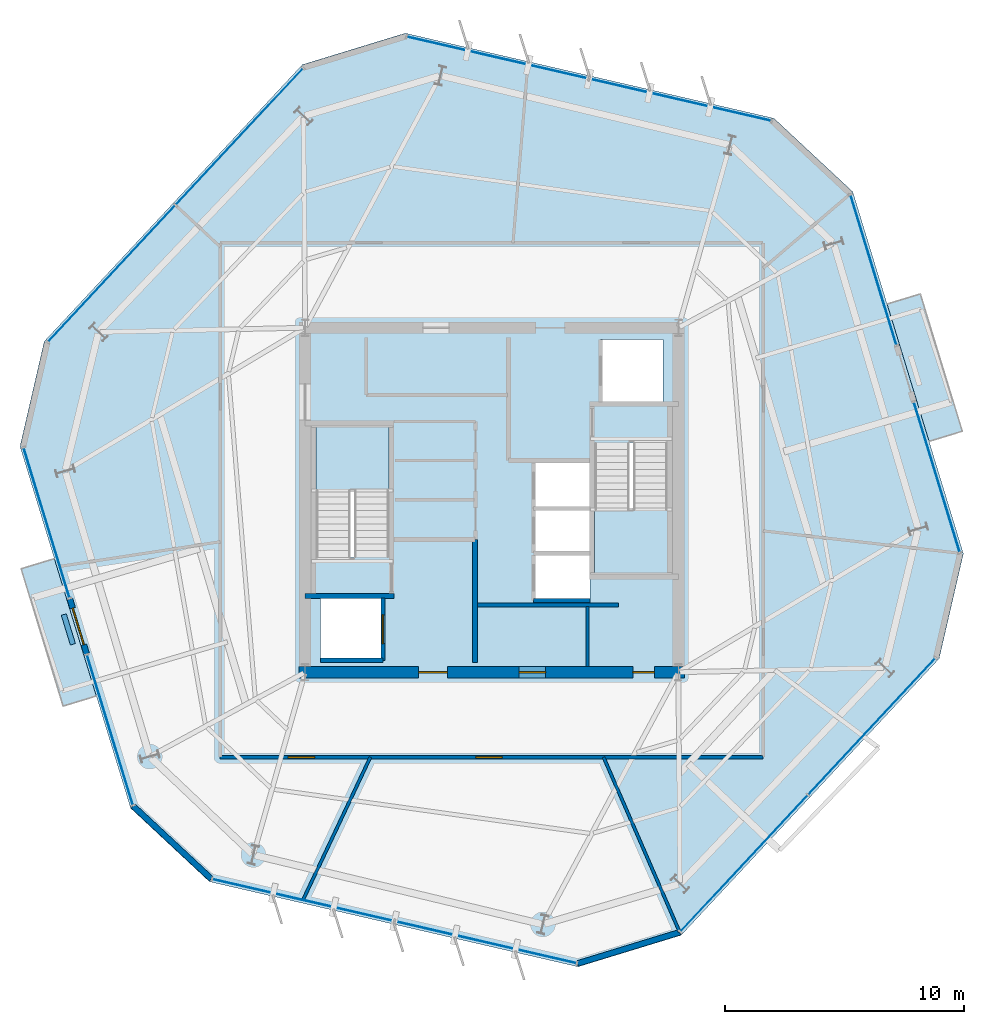
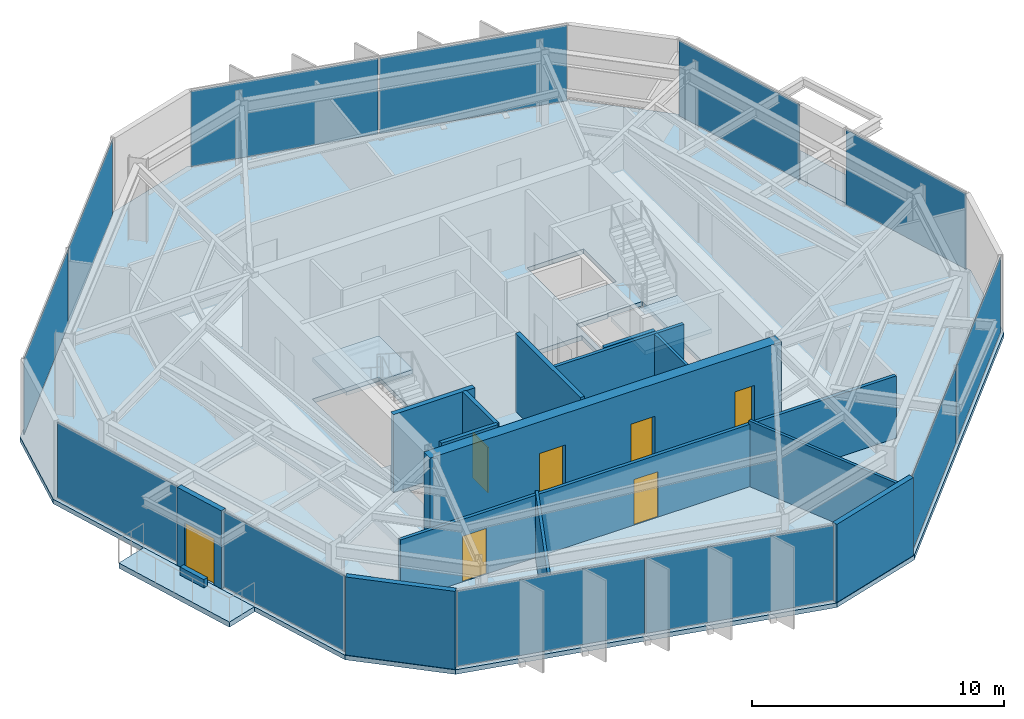
# One storey, part 6 of 11: 15 walls, 12 plates, 7 doors, 5 slabs, 7 openings, 10 elements without a shape of their own.
"""IFC4 building model written with IfcOpenShell, lengths in metres."""

import ifcopenshell
import ifcopenshell.guid

model = None  # the IFC model being written
_history = None  # IfcOwnerHistory: only IFC2X3 demands one
_inside = {}  # id of a spatial element -> (the spatial element, [elements in it])
_under = {}  # id of a project, library or spatial element -> (it, [spatial elements below it])
_declared = {}  # id of a project -> (the project, [libraries it declares])
_typed = {}  # id of a type object -> (the type object, [elements of that type])
_made_of = {}  # id of a material, layer set ... -> (it, [elements and type objects made of it])


def new_model(schema):
    """Start an empty IFC model of exactly this schema.

    Asked for "IFC4X3", IfcOpenShell would pick the latest addendum, in which some entities
    have other attributes; the version numbers below select the first issue.
    IFC2X3 requires an IfcOwnerHistory on every rooted entity: one is made here for all.
    """
    global model, _history
    if schema == "IFC4X3":
        model = ifcopenshell.file(schema_version=(4, 3, 0, 0))
    else:
        model = ifcopenshell.file(schema=schema)
    _inside.clear()
    _under.clear()
    _declared.clear()
    _typed.clear()
    _made_of.clear()
    _history = None
    if model.schema == "IFC2X3":
        org = make("IfcOrganization", Name="unknown")
        user = make(
            "IfcPersonAndOrganization",
            ThePerson=make("IfcPerson", FamilyName="unknown"),
            TheOrganization=org,
        )
        app = make(
            "IfcApplication",
            ApplicationDeveloper=org,
            Version="unknown",
            ApplicationFullName="unknown",
            ApplicationIdentifier="unknown",
        )
        _history = make(
            "IfcOwnerHistory",
            OwningUser=user,
            OwningApplication=app,
            ChangeAction="ADDED",
            CreationDate=0,
        )
    return model


def make(cls, **values):
    """One entity of the class cls with the attributes given. An attribute that is None is left unset."""
    return model.create_entity(
        cls, **{name: value for name, value in values.items() if value is not None}
    )


def rooted(cls, **values):
    """An entity with a GlobalId (a new one), such as an element, a storey or a relation."""
    return make(cls, GlobalId=ifcopenshell.guid.new(), OwnerHistory=_history, **values)


def si_unit(unit_type, name, prefix=None):
    """IfcSIUnit, for example si_unit("LENGTHUNIT", "METRE", prefix="MILLI")."""
    return make("IfcSIUnit", UnitType=unit_type, Prefix=prefix, Name=name)


def assignment(units):
    """IfcUnitAssignment: the units of a project."""
    return None if units is None else make("IfcUnitAssignment", Units=units)


def point(xyz):
    """IfcCartesianPoint."""
    return None if xyz is None else make("IfcCartesianPoint", Coordinates=xyz)


def direction(xyz):
    """IfcDirection."""
    return None if xyz is None else make("IfcDirection", DirectionRatios=xyz)


def frame(location, z_axis=None, x_axis=None):
    """IfcAxis2Placement3D, a coordinate frame: its origin and axes. An axis left out is left unset."""
    return make(
        "IfcAxis2Placement3D",
        Location=point(location),
        Axis=direction(z_axis),
        RefDirection=direction(x_axis),
    )


def frame_2d(location, x_axis=None):
    """IfcAxis2Placement2D, a coordinate frame in the plane: its origin and x axis."""
    return make(
        "IfcAxis2Placement2D", Location=point(location), RefDirection=direction(x_axis)
    )


def origin():
    """The frame at (0, 0, 0) with its axes left unset."""
    return frame((0.0, 0.0, 0.0))


def origin_2d():
    """The frame at (0, 0) in the plane with its x axis left unset."""
    return frame_2d((0.0, 0.0))


def place(relative_to, where):
    """IfcLocalPlacement: puts the frame where relative to a parent placement (None: the world)."""
    return make(
        "IfcLocalPlacement", PlacementRelTo=relative_to, RelativePlacement=where
    )


def context(
    kind, dimensions, precision=None, world=None, true_north=None, identifier=None
):
    """IfcGeometricRepresentationContext, for example the 3D "Model" context."""
    return make(
        "IfcGeometricRepresentationContext",
        ContextIdentifier=identifier,
        ContextType=kind,
        CoordinateSpaceDimension=dimensions,
        Precision=precision,
        WorldCoordinateSystem=world,
        TrueNorth=true_north,
    )


def subcontext(parent, identifier, kind, view, scale=None):
    """IfcGeometricRepresentationSubContext, for example "Body" below "Model"."""
    return make(
        "IfcGeometricRepresentationSubContext",
        ContextIdentifier=identifier,
        ContextType=kind,
        ParentContext=parent,
        TargetScale=scale,
        TargetView=view,
    )


def project(units=None, contexts=None):
    """IfcProject with its units and contexts."""
    return rooted(
        "IfcProject",
        Name="project",
        RepresentationContexts=contexts,
        UnitsInContext=assignment(units),
    )


def spatial(cls, under=None, at=None, **own):
    """A site, building, storey or space (cls), placed at a placement, below another one or the project."""
    s = rooted(cls, ObjectPlacement=at, **own)
    if under is not None:
        _under.setdefault(under.id(), (under, []))[1].append(s)
    return s


def polyline(points):
    """IfcPolyline through the points."""
    return make("IfcPolyline", Points=[point(p) for p in points])


def profile(cls, at=None, kind="AREA", **sizes):
    """A parametric profile (cls). Its sizes go by their IFC names, for example OverallWidth=200.0."""
    return make(cls, ProfileType=kind, Position=at, **sizes)


def rectangle(**sizes):
    """IfcRectangleProfileDef."""
    return profile("IfcRectangleProfileDef", **sizes)


def outline(outer, holes=None, kind="AREA"):
    """IfcArbitraryClosedProfileDef: a profile drawn as a closed curve; with holes, ...WithVoids."""
    if holes is None:
        return make("IfcArbitraryClosedProfileDef", ProfileType=kind, OuterCurve=outer)
    return make(
        "IfcArbitraryProfileDefWithVoids",
        ProfileType=kind,
        OuterCurve=outer,
        InnerCurves=holes,
    )


def extrude(swept, where, along, depth):
    """IfcExtrudedAreaSolid: the profile swept, set in the frame where, extruded along a direction by depth."""
    return make(
        "IfcExtrudedAreaSolid",
        SweptArea=swept,
        Position=where,
        ExtrudedDirection=direction(along),
        Depth=depth,
    )


def shape(context_of_items, identifier, shape_type, items):
    """IfcShapeRepresentation: the items that make up one representation, for example the "Body"."""
    return make(
        "IfcShapeRepresentation",
        ContextOfItems=context_of_items,
        RepresentationIdentifier=identifier,
        RepresentationType=shape_type,
        Items=items,
    )


def material(Name=None, Category=None):
    """IfcMaterial."""
    return make("IfcMaterial", Name=Name, Category=Category)


def layer(
    of_material, thickness, ventilated=None, Name=None, Category=None, Priority=None
):
    """IfcMaterialLayer: one layer of a wall or slab, of a material (None: an air gap)."""
    return make(
        "IfcMaterialLayer",
        Material=of_material,
        LayerThickness=thickness,
        IsVentilated=ventilated,
        Name=Name,
        Category=Category,
        Priority=Priority,
    )


def layer_set(layers, Name=None):
    """IfcMaterialLayerSet."""
    return make("IfcMaterialLayerSet", MaterialLayers=layers, LayerSetName=Name)


def made_of(thing, what):
    """Note that an element or type object is made of a material, layer set ...; save() writes the relation."""
    if what is not None:
        _made_of.setdefault(what.id(), (what, []))[1].append(thing)
    return thing


def type_object(cls, material=None, **own):
    """A type object (cls), such as IfcWallType, which elements share."""
    return made_of(rooted(cls, **own), material)


def element(
    cls,
    number,
    at=None,
    inside=None,
    cuts=None,
    type_object=None,
    material=None,
    context=None,
    identifier="Body",
    shape_type=None,
    held_by="IfcProductDefinitionShape",
    body=None,
    shapes=None,
    **own,
):
    """One element of the class cls, such as IfcWall. Its Tag is "e" and its number.

    at: its placement. inside: the storey or other place that contains it. cuts: it is an
    opening in that element (IfcRelVoidsElement). A single representation is given by context,
    identifier, shape_type and body (its items); several are given by shapes. held_by: the class
    of the entity that holds the representations. save() writes the other relations.
    """
    e = rooted(cls, Tag="e%d" % number, ObjectPlacement=at, **own)
    if body is not None:
        shapes = [shape(context, identifier, shape_type, body)]
    if shapes is not None:
        e.Representation = make(held_by, Representations=shapes)
    if inside is not None:
        _inside.setdefault(inside.id(), (inside, []))[1].append(e)
    if cuts is not None:
        rooted(
            "IfcRelVoidsElement", RelatingBuildingElement=cuts, RelatedOpeningElement=e
        )
    if type_object is not None:
        _typed.setdefault(type_object.id(), (type_object, []))[1].append(e)
    return made_of(e, material)


def fill(opening, filler):
    """IfcRelFillsElement: the door or window that sits in an opening."""
    return rooted(
        "IfcRelFillsElement",
        RelatingOpeningElement=opening,
        RelatedBuildingElement=filler,
    )


def aggregate(whole, parts):
    """IfcRelAggregates: a whole, such as a stair, and the parts it consists of."""
    return rooted("IfcRelAggregates", RelatingObject=whole, RelatedObjects=parts)


def save(model, path):
    """Write the relations noted so far, then the file.

    IfcRelAggregates (storeys below a building ...), IfcRelContainedInSpatialStructure (elements
    in a storey), IfcRelDefinesByType, IfcRelAssociatesMaterial and IfcRelDeclares: one each for
    every whole, place, type object, material and project.
    """
    for whole, parts in _under.values():
        aggregate(whole, parts)
    for where, things in _inside.values():
        rooted(
            "IfcRelContainedInSpatialStructure",
            RelatedElements=things,
            RelatingStructure=where,
        )
    for kind, things in _typed.values():
        rooted("IfcRelDefinesByType", RelatedObjects=things, RelatingType=kind)
    for what, things in _made_of.values():
        rooted("IfcRelAssociatesMaterial", RelatedObjects=things, RelatingMaterial=what)
    for by, libraries in _declared.values():
        rooted("IfcRelDeclares", RelatingContext=by, RelatedDefinitions=libraries)
    model.write(path)


model = new_model("IFC4")

# Units and contexts
model_context = context("Model", 3, precision=1e-05, world=origin(), true_north=direction((0.0, 1.0)))
body_context = subcontext(model_context, "Body", "Model", "MODEL_VIEW")
ifc_project = project(units=[si_unit("LENGTHUNIT", "METRE"), si_unit("AREAUNIT", "SQUARE_METRE"), si_unit("VOLUMEUNIT", "CUBIC_METRE"), si_unit("PLANEANGLEUNIT", "RADIAN"), si_unit("MASSUNIT", "GRAM", prefix="KILO")], contexts=[model_context])

# Site, building, storey
site_placement = place(None, origin())
site = spatial("IfcSite", under=ifc_project, at=site_placement, CompositionType="ELEMENT")
building_placement = place(site_placement, origin())
building = spatial("IfcBuilding", under=site, at=building_placement, Name="Kranzbogen Civic Tower", CompositionType="ELEMENT")
storey_placement = place(building_placement, frame((0.0, 0.0, 212.800048828125)))
storey = spatial("IfcBuildingStorey", under=building, at=storey_placement, Name="L51", CompositionType="ELEMENT", Elevation=212.800048828125)

# Slab
ifc_material_1 = material(Name="Concrete C40/50", Category="concrete")
ifc_layer_1 = layer(ifc_material_1, 0.219970703125, Name="Concrete C40/50")
ifc_layer_set_1 = layer_set([ifc_layer_1], Name="Concrete C40/50")
slab_type_1 = type_object("IfcSlabType", Name="Composite Upper Tower Floor Slab 220 mm", PredefinedType="FLOOR", material=ifc_layer_set_1)
slab_1_placement = place(storey_placement, frame((0.0, 0.0, -0.219970703125)))
element("IfcSlab", 1, at=slab_1_placement, inside=storey, type_object=slab_type_1, Name="L51 tower floor slab", PredefinedType="FLOOR", context=body_context, shape_type="SweptSolid", body=[
    extrude(outline(polyline([(36.801025390625, 40.9541015625), (21.386962890625, 44.512939453125), (17.083984375, 43.197021484375), (6.294921875, 31.6279296875), (5.282958984375, 27.242919921875), (9.907958984375, 12.114990234375), (13.198974609375, 9.0458984375), (28.613037109375, 5.487060546875), (32.916015625, 6.802978515625), (43.705078125, 18.3720703125), (44.717041015625, 22.757080078125), (40.092041015625, 37.885009765625), (36.801025390625, 40.9541015625)]), holes=[polyline([(17.85009765625, 20.89990234375), (20.449951171875, 20.89990234375), (20.449951171875, 18.300048828125), (17.85009765625, 18.300048828125), (17.85009765625, 20.89990234375)]), polyline([(29.10009765625, 22.699951171875), (29.10009765625, 20.800048828125), (26.75, 20.800048828125), (26.75, 22.699951171875), (29.10009765625, 22.699951171875)]), polyline([(29.10009765625, 24.64990234375), (29.10009765625, 22.77490234375), (26.75, 22.77490234375), (26.75, 24.64990234375), (26.75, 24.675048828125), (26.75, 26.550048828125), (29.10009765625, 26.550048828125), (29.10009765625, 24.675048828125), (29.10009765625, 24.64990234375)]), polyline([(29.300048828125, 27.340087890625), (30.75, 27.340087890625), (30.75, 27.39990234375), (32.35009765625, 27.39990234375), (32.35009765625, 21.89990234375), (29.300048828125, 21.89990234375), (29.300048828125, 27.340087890625)]), polyline([(20.699951171875, 22.659912109375), (19.25, 22.659912109375), (19.25, 22.60009765625), (17.64990234375, 22.60009765625), (17.64990234375, 28.10009765625), (20.699951171875, 28.10009765625), (20.699951171875, 22.659912109375)]), polyline([(32.14990234375, 31.699951171875), (32.14990234375, 29.10009765625), (29.550048828125, 29.10009765625), (29.550048828125, 31.699951171875), (32.14990234375, 31.699951171875)])]), origin(), (0.0, 0.0, 1.0), 0.219970703125),
])

# Curtain wall, plates
ifc_material_2 = material(Name="Pale Anodised Aluminium", Category="aluminium")
ifc_layer_2 = layer(ifc_material_2, 0.219970703125, Name="Pale Anodised Aluminium")
ifc_layer_set_2 = layer_set([ifc_layer_2], Name="Pale Anodised Aluminium")
curtain_wall_type = type_object("IfcCurtainWallType", Name="Zone 3 Stick Curtain Wall System CW-04", PredefinedType="USERDEFINED", material=ifc_layer_set_2)
curtain_wall_1_placement = place(storey_placement, origin())
curtain_wall_1 = element("IfcCurtainWall", 2, at=curtain_wall_1_placement, inside=storey, type_object=curtain_wall_type, Name="L51 curtain wall CW-L51-F1", ObjectType="STICK CURTAIN WALL", PredefinedType="USERDEFINED")
ifc_material_3 = material(Name="Low-E Triple Glazing Glass", Category="glass")
ifc_layer_3 = layer(ifc_material_3, 0.030029296875, Name="Low-E Triple Glazing Glass")
ifc_layer_set_3 = layer_set([ifc_layer_3], Name="Low-E Triple Glazing Glass")
plate_type = type_object("IfcPlateType", Name="Insulated Low-E Glazing Panel 30 mm", PredefinedType="CURTAIN_PANEL", material=ifc_layer_set_3)
plate_1_placement = place(storey_placement, frame((32.876953125, 41.727783203125, 0.06005859375), z_axis=(0.0, 0.0, 1.0), x_axis=(-0.974365439579, 0.224971087375, 0.0)))
plate_1 = element("IfcPlate", 3, at=plate_1_placement, type_object=plate_type, Name="CW-04 panel 1.1", PredefinedType="CURTAIN_PANEL", context=body_context, shape_type="SweptSolid", body=[
    extrude(rectangle(XDim=7.764404296875, YDim=0.028076171875, at=origin_2d()), origin(), (0.0, 0.0, 1.0), 3.659912109375),
])
plate_2_placement = place(storey_placement, frame((25.253173828125, 43.488037109375, 0.06005859375), z_axis=(0.0, 0.0, 1.0), x_axis=(-0.974365439579, 0.224971087375, 0.0)))
plate_2 = element("IfcPlate", 4, at=plate_2_placement, type_object=plate_type, Name="CW-04 panel 2.1", PredefinedType="CURTAIN_PANEL", context=body_context, shape_type="SweptSolid", body=[
    extrude(rectangle(XDim=7.764404296875, YDim=0.028076171875, at=origin_2d()), origin(), (0.0, 0.0, 1.0), 3.659912109375),
])
aggregate(curtain_wall_1, [plate_1, plate_2])

curtain_wall_2_placement = place(storey_placement, origin())
curtain_wall_2 = element("IfcCurtainWall", 5, at=curtain_wall_2_placement, inside=storey, type_object=curtain_wall_type, Name="L51 curtain wall CW-L51-F2", ObjectType="STICK CURTAIN WALL", PredefinedType="USERDEFINED")
plate_3_placement = place(storey_placement, frame((14.451416015625, 40.18603515625, 0.06005859375), z_axis=(0.0, 0.0, 1.0), x_axis=(-0.682007441156, -0.731345233257, 0.0)))
plate_3 = element("IfcPlate", 6, at=plate_3_placement, type_object=plate_type, Name="CW-04 panel 1.1", PredefinedType="CURTAIN_PANEL", context=body_context, shape_type="SweptSolid", body=[
    extrude(rectangle(XDim=7.763916015625, YDim=0.028076171875, at=origin_2d()), origin(), (0.0, 0.0, 1.0), 3.659912109375),
])
plate_4_placement = place(storey_placement, frame((9.115478515625, 34.4638671875, 0.06005859375), z_axis=(0.0, 0.0, 1.0), x_axis=(-0.682007441156, -0.731345233257, 0.0)))
plate_4 = element("IfcPlate", 7, at=plate_4_placement, type_object=plate_type, Name="CW-04 panel 2.1", PredefinedType="CURTAIN_PANEL", context=body_context, shape_type="SweptSolid", body=[
    extrude(rectangle(XDim=7.763916015625, YDim=0.028076171875, at=origin_2d()), origin(), (0.0, 0.0, 1.0), 3.659912109375),
])
aggregate(curtain_wall_2, [plate_3, plate_4])

# Curtain wall, plate
curtain_wall_3_placement = place(storey_placement, origin())
curtain_wall_3 = element("IfcCurtainWall", 8, at=curtain_wall_3_placement, inside=storey, type_object=curtain_wall_type, Name="L51 curtain wall CW-L51-F3-S1", ObjectType="STICK CURTAIN WALL", PredefinedType="USERDEFINED")
plate_5_placement = place(storey_placement, frame((6.39453125, 24.04541015625, 0.06005859375), z_axis=(0.0, 0.0, 1.0), x_axis=(0.292321628934, -0.956320064235, 0.0)))
plate_5 = element("IfcPlate", 9, at=plate_5_placement, type_object=plate_type, Name="CW-04 panel 1.1", PredefinedType="CURTAIN_PANEL", context=body_context, shape_type="SweptSolid", body=[
    extrude(rectangle(XDim=6.53369140625, YDim=0.028076171875, at=origin_2d()), origin(), (0.0, 0.0, 1.0), 3.659912109375),
])
aggregate(curtain_wall_3, [plate_5])

curtain_wall_4_placement = place(storey_placement, origin())
curtain_wall_4 = element("IfcCurtainWall", 10, at=curtain_wall_4_placement, inside=storey, type_object=curtain_wall_type, Name="L51 curtain wall CW-L51-F3-S2", ObjectType="STICK CURTAIN WALL", PredefinedType="USERDEFINED")
plate_6_placement = place(storey_placement, frame((9.04150390625, 15.387451171875, 0.06005859375), z_axis=(0.0, 0.0, 1.0), x_axis=(0.292321628934, -0.956320064235, 0.0)))
plate_6 = element("IfcPlate", 11, at=plate_6_placement, type_object=plate_type, Name="CW-04 panel 1.1", PredefinedType="CURTAIN_PANEL", context=body_context, shape_type="SweptSolid", body=[
    extrude(rectangle(XDim=6.53369140625, YDim=0.028076171875, at=origin_2d()), origin(), (0.0, 0.0, 1.0), 3.659912109375),
])
aggregate(curtain_wall_4, [plate_6])

# Curtain wall, plates
curtain_wall_5_placement = place(storey_placement, origin())
curtain_wall_5 = element("IfcCurtainWall", 12, at=curtain_wall_5_placement, inside=storey, type_object=curtain_wall_type, Name="L51 curtain wall CW-L51-F4", ObjectType="STICK CURTAIN WALL", PredefinedType="USERDEFINED")
plate_7_placement = place(storey_placement, frame((17.123046875, 8.272216796875, 0.06005859375), z_axis=(0.0, 0.0, 1.0), x_axis=(0.974365439579, -0.224971087375, 0.0)))
plate_7 = element("IfcPlate", 13, at=plate_7_placement, type_object=plate_type, Name="CW-04 panel 1.1", PredefinedType="CURTAIN_PANEL", context=body_context, shape_type="SweptSolid", body=[
    extrude(rectangle(XDim=7.764404296875, YDim=0.028076171875, at=origin_2d()), origin(), (0.0, 0.0, 1.0), 3.659912109375),
])
plate_8_placement = place(storey_placement, frame((24.746826171875, 6.511962890625, 0.06005859375), z_axis=(0.0, 0.0, 1.0), x_axis=(0.974365439579, -0.224971087375, 0.0)))
plate_8 = element("IfcPlate", 14, at=plate_8_placement, type_object=plate_type, Name="CW-04 panel 2.1", PredefinedType="CURTAIN_PANEL", context=body_context, shape_type="SweptSolid", body=[
    extrude(rectangle(XDim=7.764404296875, YDim=0.028076171875, at=origin_2d()), origin(), (0.0, 0.0, 1.0), 3.659912109375),
])
aggregate(curtain_wall_5, [plate_7, plate_8])

curtain_wall_6_placement = place(storey_placement, origin())
curtain_wall_6 = element("IfcCurtainWall", 15, at=curtain_wall_6_placement, inside=storey, type_object=curtain_wall_type, Name="L51 curtain wall CW-L51-F5", ObjectType="STICK CURTAIN WALL", PredefinedType="USERDEFINED")
plate_9_placement = place(storey_placement, frame((35.548583984375, 9.81396484375, 0.06005859375), z_axis=(0.0, 0.0, 1.0), x_axis=(0.682007441156, 0.731345233257, 0.0)))
plate_9 = element("IfcPlate", 16, at=plate_9_placement, type_object=plate_type, Name="CW-04 panel 1.1", PredefinedType="CURTAIN_PANEL", context=body_context, shape_type="SweptSolid", body=[
    extrude(rectangle(XDim=7.763916015625, YDim=0.028076171875, at=origin_2d()), origin(), (0.0, 0.0, 1.0), 3.659912109375),
])
plate_10_placement = place(storey_placement, frame((40.884521484375, 15.5361328125, 0.06005859375), z_axis=(0.0, 0.0, 1.0), x_axis=(0.682007441156, 0.731345233257, 0.0)))
plate_10 = element("IfcPlate", 17, at=plate_10_placement, type_object=plate_type, Name="CW-04 panel 2.1", PredefinedType="CURTAIN_PANEL", context=body_context, shape_type="SweptSolid", body=[
    extrude(rectangle(XDim=7.763916015625, YDim=0.028076171875, at=origin_2d()), origin(), (0.0, 0.0, 1.0), 3.659912109375),
])
aggregate(curtain_wall_6, [plate_9, plate_10])

# Curtain wall, plate
curtain_wall_7_placement = place(storey_placement, origin())
curtain_wall_7 = element("IfcCurtainWall", 18, at=curtain_wall_7_placement, inside=storey, type_object=curtain_wall_type, Name="L51 curtain wall CW-L51-F6-S1", ObjectType="STICK CURTAIN WALL", PredefinedType="USERDEFINED")
plate_11_placement = place(storey_placement, frame((43.60546875, 25.95458984375, 0.06005859375), z_axis=(0.0, 0.0, 1.0), x_axis=(-0.292321628934, 0.956320064235, 0.0)))
plate_11 = element("IfcPlate", 19, at=plate_11_placement, type_object=plate_type, Name="CW-04 panel 1.1", PredefinedType="CURTAIN_PANEL", context=body_context, shape_type="SweptSolid", body=[
    extrude(rectangle(XDim=6.53369140625, YDim=0.028076171875, at=origin_2d()), origin(), (0.0, 0.0, 1.0), 3.659912109375),
])
aggregate(curtain_wall_7, [plate_11])

curtain_wall_8_placement = place(storey_placement, origin())
curtain_wall_8 = element("IfcCurtainWall", 20, at=curtain_wall_8_placement, inside=storey, type_object=curtain_wall_type, Name="L51 curtain wall CW-L51-F6-S2", ObjectType="STICK CURTAIN WALL", PredefinedType="USERDEFINED")
plate_12_placement = place(storey_placement, frame((40.95849609375, 34.612548828125, 0.06005859375), z_axis=(0.0, 0.0, 1.0), x_axis=(-0.292321628934, 0.956320064235, 0.0)))
plate_12 = element("IfcPlate", 21, at=plate_12_placement, type_object=plate_type, Name="CW-04 panel 1.1", PredefinedType="CURTAIN_PANEL", context=body_context, shape_type="SweptSolid", body=[
    extrude(rectangle(XDim=6.53369140625, YDim=0.028076171875, at=origin_2d()), origin(), (0.0, 0.0, 1.0), 3.659912109375),
])
aggregate(curtain_wall_8, [plate_12])

# Stair, slab
ifc_material_4 = material(Name="Precast concrete C40/50", Category="concrete")
stair_type_1 = type_object("IfcStairType", Name="Tower Core Pressurized Dogleg Stair 1450", PredefinedType="HALF_TURN_STAIR", material=ifc_material_4)
stair_1_placement = place(storey_placement, origin())
stair_1 = element("IfcStair", 22, at=stair_1_placement, inside=storey, type_object=stair_type_1, Name="L51 Tower Core Pressurized Stair 1", PredefinedType="HALF_TURN_STAIR")
ifc_layer_4 = layer(ifc_material_4, 0.199951171875, Name="Precast concrete C40/50")
ifc_layer_set_4 = layer_set([ifc_layer_4], Name="Precast concrete C40/50")
slab_type_2 = type_object("IfcSlabType", Name="Precast Concrete Stair Landing Slab 200 mm", PredefinedType="LANDING", material=ifc_layer_set_4)
slab_2_placement = place(storey_placement, frame((0.0, 0.0, 1.800048828125)))
slab_2 = element("IfcSlab", 23, at=slab_2_placement, type_object=slab_type_2, Name="ST-T1 landing 1", PredefinedType="LANDING", context=body_context, shape_type="SweptSolid", body=[
    extrude(outline(polyline([(20.699951171875, 25.39990234375), (20.699951171875, 28.10009765625), (17.64990234375, 28.10009765625), (17.64990234375, 25.39990234375), (20.699951171875, 25.39990234375)])), origin(), (0.0, 0.0, 1.0), 0.199951171875),
])
aggregate(stair_1, [slab_2])

stair_type_2 = type_object("IfcStairType", Name="Tower Core Secondary Dogleg Stair 1450", PredefinedType="HALF_TURN_STAIR", material=ifc_material_4)
stair_2_placement = place(storey_placement, origin())
stair_2 = element("IfcStair", 24, at=stair_2_placement, inside=storey, type_object=stair_type_2, Name="L51 Tower Core Pressurized Stair 2", PredefinedType="HALF_TURN_STAIR")
slab_3_placement = place(storey_placement, frame((0.0, 0.0, 1.800048828125)))
slab_3 = element("IfcSlab", 25, at=slab_3_placement, type_object=slab_type_2, Name="ST-T2 landing 1", PredefinedType="LANDING", context=body_context, shape_type="SweptSolid", body=[
    extrude(outline(polyline([(29.300048828125, 24.60009765625), (29.300048828125, 21.89990234375), (32.35009765625, 21.89990234375), (32.35009765625, 24.60009765625), (29.300048828125, 24.60009765625)])), origin(), (0.0, 0.0, 1.0), 0.199951171875),
])
aggregate(stair_2, [slab_3])

# Slabs
ifc_layer_5 = layer(ifc_material_1, 0.25, Name="Concrete C40/50")
ifc_layer_set_5 = layer_set([ifc_layer_5], Name="Concrete C40/50")
slab_type_3 = type_object("IfcSlabType", Name="Tree Balcony Cantilevered Slab 250 mm", PredefinedType="FLOOR", material=ifc_layer_set_5)
slab_4_placement = place(storey_placement, frame((0.0, 0.0, -0.25)))
element("IfcSlab", 26, at=slab_4_placement, inside=storey, type_object=slab_type_3, Name="L51 cantilevered tree balcony L51-TB1", PredefinedType="FLOOR", context=body_context, shape_type="SweptSolid", body=[
    extrude(outline(polyline([(6.718017578125, 22.548095703125), (8.471923828125, 16.81005859375), (7.0849609375, 16.385986328125), (5.3310546875, 22.1240234375), (6.718017578125, 22.548095703125)])), origin(), (0.0, 0.0, 1.0), 0.25),
])
slab_5_placement = place(storey_placement, frame((0.0, 0.0, -0.25)))
element("IfcSlab", 27, at=slab_5_placement, inside=storey, type_object=slab_type_3, Name="L51 cantilevered tree balcony L51-TB2", PredefinedType="FLOOR", context=body_context, shape_type="SweptSolid", body=[
    extrude(outline(polyline([(43.281982421875, 27.451904296875), (41.528076171875, 33.18994140625), (42.9150390625, 33.614013671875), (44.6689453125, 27.8759765625), (43.281982421875, 27.451904296875)])), origin(), (0.0, 0.0, 1.0), 0.25),
])

# Wall
ifc_material_5 = material(Name="Double-Stud Acoustic Gypsum Partition")
ifc_layer_6 = layer(ifc_material_5, 0.14990234375, Name="Double-Stud Acoustic Gypsum Partition")
ifc_layer_set_6 = layer_set([ifc_layer_6], Name="Double-Stud Acoustic Gypsum Partition")
wall_type_1 = type_object("IfcWallType", Name="Acoustic Corridor and Clinical Partition 150 mm", PredefinedType="PARTITIONING", material=ifc_layer_set_6)
wall_1_placement = place(storey_placement, frame((24.39990234375, 20.610107421875, 0.0), z_axis=(0.0, 0.0, 1.0), x_axis=(1.0, 0.0, 0.0)))
element("IfcWall", 28, at=wall_1_placement, inside=storey, type_object=wall_type_1, Name="L51 records zone North wall", PredefinedType="PARTITIONING", context=body_context, shape_type="SweptSolid", body=[
    extrude(rectangle(XDim=5.900146484375, YDim=0.14990234375, at=frame_2d((2.9501953125, 0.0))), origin(), (0.0, 0.0, 1.0), 3.780029296875),
])

# Wall, openings, doors
wall_2_placement = place(storey_placement, frame((36.35009765625, 14.25, 0.0), z_axis=(0.0, 0.0, 1.0), x_axis=(-1.0, 0.0, 0.0)))
wall_2 = element("IfcWall", 29, at=wall_2_placement, inside=storey, type_object=wall_type_1, Name="L51 corridor partition 03", PredefinedType="PARTITIONING", context=body_context, shape_type="SweptSolid", body=[
    extrude(rectangle(XDim=22.7001953125, YDim=0.14990234375, at=frame_2d((11.35009765625, 0.0))), origin(), (0.0, 0.0, 1.0), 3.02001953125),
])
opening_1_placement = place(wall_2_placement, frame((18.757080078125, 0.0, 0.0)))
opening_1 = element("IfcOpeningElement", 30, at=opening_1_placement, cuts=wall_2, Name="Opening D-COR60", PredefinedType="OPENING", context=body_context, shape_type="SweptSolid", body=[
    extrude(rectangle(XDim=1.10009765625, YDim=2.199951171875, at=frame_2d((0.550048828125, 1.10009765625))), frame((0.0, 0.0849609375, 0.0), z_axis=(0.0, -1.0, 0.0), x_axis=(1.0, 0.0, 0.0)), (0.0, 0.0, 1.0), 0.169921875),
])
opening_2_placement = place(wall_2_placement, frame((10.909912109375, 0.0, 0.0)))
opening_2 = element("IfcOpeningElement", 31, at=opening_2_placement, cuts=wall_2, Name="Opening D-COR60", PredefinedType="OPENING", context=body_context, shape_type="SweptSolid", body=[
    extrude(rectangle(XDim=1.10009765625, YDim=2.199951171875, at=frame_2d((0.550048828125, 1.10009765625))), frame((0.0, 0.0849609375, 0.0), z_axis=(0.0, -1.0, 0.0), x_axis=(1.0, 0.0, 0.0)), (0.0, 0.0, 1.0), 0.169921875),
])
ifc_material_6 = material(Name="Oak Timber and Fire Core", Category="wood")
door_type_1 = type_object("IfcDoorType", Name="Corridor Acoustic Fire Door 1100x2200", OperationType="NOTDEFINED", PredefinedType="DOOR", material=ifc_material_6)
door_1_placement = place(opening_1_placement, origin())
door_1 = element("IfcDoor", 32, at=door_1_placement, inside=storey, type_object=door_type_1, Name="L51 Delegates Sitting Lounge door", OperationType="SINGLE_SWING_RIGHT", OverallHeight=2.199951171875, OverallWidth=1.10009765625, PredefinedType="DOOR", context=body_context, shape_type="SweptSolid", body=[
    extrude(rectangle(XDim=1.10009765625, YDim=2.199951171875, at=frame_2d((0.550048828125, 1.10009765625))), frame((0.0, 0.02490234375, 0.0), z_axis=(0.0, -1.0, 0.0), x_axis=(1.0, 0.0, 0.0)), (0.0, 0.0, 1.0), 0.050048828125),
])
fill(opening_1, door_1)
door_2_placement = place(opening_2_placement, origin())
door_2 = element("IfcDoor", 33, at=door_2_placement, inside=storey, type_object=door_type_1, Name="L51 Executive Research Study door", OperationType="SINGLE_SWING_LEFT", OverallHeight=2.199951171875, OverallWidth=1.10009765625, PredefinedType="DOOR", context=body_context, shape_type="SweptSolid", body=[
    extrude(rectangle(XDim=1.10009765625, YDim=2.199951171875, at=frame_2d((0.550048828125, 1.10009765625))), frame((0.0, 0.02490234375, 0.0), z_axis=(0.0, -1.0, 0.0), x_axis=(1.0, 0.0, 0.0)), (0.0, 0.0, 1.0), 0.050048828125),
])
fill(opening_2, door_2)

# Walls
ifc_material_7 = material(Name="Insulated Metal-Stud Gypsum Partition")
ifc_layer_7 = layer(ifc_material_7, 0.125, Name="Insulated Metal-Stud Gypsum Partition")
ifc_layer_set_7 = layer_set([ifc_layer_7], Name="Insulated Metal-Stud Gypsum Partition")
wall_type_2 = type_object("IfcWallType", Name="Acoustic Inter-Room Partition 125 mm", PredefinedType="PARTITIONING", material=ifc_layer_set_7)
wall_3_placement = place(storey_placement, frame((29.010009765625, 18.050048828125, 0.0), z_axis=(0.0, 0.0, 1.0), x_axis=(0.0, 1.0, 0.0)))
element("IfcWall", 34, at=wall_3_placement, inside=storey, type_object=wall_type_2, Name="L51 core auxiliary partition 1", PredefinedType="PARTITIONING", context=body_context, shape_type="SweptSolid", body=[
    extrude(rectangle(XDim=2.5, YDim=0.125, at=frame_2d((1.25, 0.0))), origin(), (0.0, 0.0, 1.0), 3.780029296875),
])
wall_4_placement = place(storey_placement, frame((19.927978515625, 14.25, 0.0), z_axis=(0.0, 0.0, 1.0), x_axis=(-0.426706727615, -0.904390053355, 0.0)))
element("IfcWall", 35, at=wall_4_placement, inside=storey, type_object=wall_type_2, Name="L51 radial room partition 04", PredefinedType="PARTITIONING", context=body_context, shape_type="SweptSolid", body=[
    extrude(rectangle(XDim=6.590087890625, YDim=0.125, at=frame_2d((3.294921875, 0.0))), origin(), (0.0, 0.0, 1.0), 3.179931640625),
])
wall_5_placement = place(storey_placement, frame((29.676025390625, 14.25, 0.0), z_axis=(0.0, 0.0, 1.0), x_axis=(0.398960400316, -0.916968155925, 0.0)))
element("IfcWall", 36, at=wall_5_placement, inside=storey, type_object=wall_type_2, Name="L51 radial room partition 05", PredefinedType="PARTITIONING", context=body_context, shape_type="SweptSolid", body=[
    extrude(rectangle(XDim=7.963134765625, YDim=0.125, at=frame_2d((3.9814453125, 0.0))), origin(), (0.0, 0.0, 1.0), 3.179931640625),
])
ifc_material_8 = material(Name="Architectural Precast Terracotta Concrete C40/50", Category="masonry")
ifc_layer_8 = layer(ifc_material_8, 0.219970703125, Name="Architectural Precast Terracotta Concrete C40/50")
ifc_layer_set_8 = layer_set([ifc_layer_8], Name="Architectural Precast Terracotta Concrete C40/50")
wall_type_3 = type_object("IfcWallType", Name="Architectural Tree Planter Kerb Wall 220 mm", PredefinedType="USERDEFINED", material=ifc_layer_set_8)
wall_6_placement = place(storey_placement, frame((7.114013671875, 20.2119140625, 0.0), z_axis=(0.0, 0.0, 1.0), x_axis=(0.292080232212, -0.956393819486, 0.0)))
element("IfcWall", 37, at=wall_6_placement, inside=storey, type_object=wall_type_3, Name="L51 landscaped tree balcony planter L51-TB1", ObjectType="PLANTER_WALL", PredefinedType="USERDEFINED", context=body_context, shape_type="SweptSolid", body=[
    extrude(rectangle(XDim=1.300537109375, YDim=0.219970703125, at=frame_2d((0.650390625, 0.0))), origin(), (0.0, 0.0, 1.0), 0.39990234375),
])

# Wall, openings, doors
ifc_material_9 = material(Name="Concrete C45/55", Category="concrete")
ifc_layer_9 = layer(ifc_material_9, 0.5, Name="Concrete C45/55")
ifc_layer_set_9 = layer_set([ifc_layer_9], Name="Concrete C45/55")
wall_type_4 = type_object("IfcWallType", Name="Central Core Shear Wall 500 mm", PredefinedType="SHEAR", material=ifc_layer_set_9)
wall_7_placement = place(storey_placement, frame((16.949951171875, 17.800048828125, 0.0), z_axis=(0.0, 0.0, 1.0), x_axis=(1.0, 0.0, 0.0)))
wall_7 = element("IfcWall", 38, at=wall_7_placement, inside=storey, type_object=wall_type_4, Name="L51 central core South shear wall", PredefinedType="SHEAR", context=body_context, shape_type="SweptSolid", body=[
    extrude(rectangle(XDim=16.10009765625, YDim=0.5, at=frame_2d((8.050048828125, 0.0))), origin(), (0.0, 0.0, 1.0), 3.780029296875),
])
opening_3_placement = place(wall_7_placement, frame((5.0, 0.0, 0.0)))
opening_3 = element("IfcOpeningElement", 39, at=opening_3_placement, cuts=wall_7, Name="Opening D-EX120", PredefinedType="OPENING", context=body_context, shape_type="SweptSolid", body=[
    extrude(rectangle(XDim=1.199951171875, YDim=2.25, at=frame_2d((0.60009765625, 1.125))), frame((0.0, 0.260009765625, 0.0), z_axis=(0.0, -1.0, 0.0), x_axis=(1.0, 0.0, 0.0)), (0.0, 0.0, 1.0), 0.52001953125),
])
opening_4_placement = place(wall_7_placement, frame((13.949951171875, 0.0, 0.0)))
opening_4 = element("IfcOpeningElement", 40, at=opening_4_placement, cuts=wall_7, Name="Opening D-WC90", PredefinedType="OPENING", context=body_context, shape_type="SweptSolid", body=[
    extrude(rectangle(XDim=0.89990234375, YDim=2.10009765625, at=frame_2d((0.449951171875, 1.050048828125))), frame((0.0, 0.260009765625, 0.0), z_axis=(0.0, -1.0, 0.0), x_axis=(1.0, 0.0, 0.0)), (0.0, 0.0, 1.0), 0.52001953125),
])
opening_5_placement = place(wall_7_placement, frame((9.199951171875, 0.0, 0.0)))
opening_5 = element("IfcOpeningElement", 41, at=opening_5_placement, cuts=wall_7, Name="Opening D-COR60", PredefinedType="OPENING", context=body_context, shape_type="SweptSolid", body=[
    extrude(rectangle(XDim=1.10009765625, YDim=2.199951171875, at=frame_2d((0.550048828125, 1.10009765625))), frame((0.0, 0.260009765625, 0.0), z_axis=(0.0, -1.0, 0.0), x_axis=(1.0, 0.0, 0.0)), (0.0, 0.0, 1.0), 0.52001953125),
])
door_3_placement = place(opening_5_placement, origin())
door_3 = element("IfcDoor", 42, at=door_3_placement, inside=storey, type_object=door_type_1, Name="L51 REC1 archive room door", OperationType="SINGLE_SWING_RIGHT", OverallHeight=2.199951171875, OverallWidth=1.10009765625, PredefinedType="DOOR", context=body_context, shape_type="SweptSolid", body=[
    extrude(rectangle(XDim=1.10009765625, YDim=2.199951171875, at=frame_2d((0.550048828125, 1.10009765625))), frame((0.0, 0.02490234375, 0.0), z_axis=(0.0, -1.0, 0.0), x_axis=(1.0, 0.0, 0.0)), (0.0, 0.0, 1.0), 0.050048828125),
])
fill(opening_5, door_3)
ifc_material_10 = material(Name="Steel S355", Category="steel")
door_type_2 = type_object("IfcDoorType", Name="Exit Passageway Fire Door 1200x2250", OperationType="NOTDEFINED", PredefinedType="DOOR", material=ifc_material_10)
door_4_placement = place(opening_3_placement, origin())
door_4 = element("IfcDoor", 43, at=door_4_placement, inside=storey, type_object=door_type_2, Name="L51 West firefighting lobby corridor door", OperationType="SINGLE_SWING_RIGHT", OverallHeight=2.25, OverallWidth=1.199951171875, PredefinedType="DOOR", context=body_context, shape_type="SweptSolid", body=[
    extrude(rectangle(XDim=1.199951171875, YDim=2.25, at=frame_2d((0.60009765625, 1.125))), frame((0.0, 0.02490234375, 0.0), z_axis=(0.0, -1.0, 0.0), x_axis=(1.0, 0.0, 0.0)), (0.0, 0.0, 1.0), 0.050048828125),
])
fill(opening_3, door_4)
ifc_material_11 = material(Name="Moisture-Resistant Laminate")
door_type_3 = type_object("IfcDoorType", Name="Standard Restroom and Store Door 900x2100", OperationType="NOTDEFINED", PredefinedType="DOOR", material=ifc_material_11)
door_5_placement = place(opening_4_placement, origin())
door_5 = element("IfcDoor", 44, at=door_5_placement, inside=storey, type_object=door_type_3, Name="L51 East electrical riser access door", OperationType="SINGLE_SWING_LEFT", OverallHeight=2.10009765625, OverallWidth=0.89990234375, PredefinedType="DOOR", context=body_context, shape_type="SweptSolid", body=[
    extrude(rectangle(XDim=0.89990234375, YDim=2.10009765625, at=frame_2d((0.449951171875, 1.050048828125))), frame((0.0, 0.02490234375, 0.0), z_axis=(0.0, -1.0, 0.0), x_axis=(1.0, 0.0, 0.0)), (0.0, 0.0, 1.0), 0.050048828125),
])
fill(opening_4, door_5)

# Walls
ifc_layer_10 = layer(ifc_material_9, 0.219970703125, Name="Concrete C45/55")
ifc_layer_set_10 = layer_set([ifc_layer_10], Name="Concrete C45/55")
wall_type_5 = type_object("IfcWallType", Name="Core Internal Stair Structural Wall 220 mm", PredefinedType="SOLIDWALL", material=ifc_layer_set_10)
wall_8_placement = place(storey_placement, frame((17.199951171875, 20.989990234375, 0.0), z_axis=(0.0, 0.0, 1.0), x_axis=(1.0, 0.0, 0.0)))
element("IfcWall", 45, at=wall_8_placement, inside=storey, type_object=wall_type_5, Name="L51 ST-T1 South structural stair wall", PredefinedType="SOLIDWALL", context=body_context, shape_type="SweptSolid", body=[
    extrude(rectangle(XDim=3.719970703125, YDim=0.219970703125, at=frame_2d((1.85986328125, 0.0))), origin(), (0.0, 0.0, 1.0), 3.780029296875),
])
ifc_material_12 = material(Name="Gypsum Fireboard and Concrete Block", Category="concrete")
ifc_layer_11 = layer(ifc_material_12, 0.199951171875, Name="Gypsum Fireboard and Concrete Block")
ifc_layer_set_11 = layer_set([ifc_layer_11], Name="Gypsum Fireboard and Concrete Block")
wall_type_6 = type_object("IfcWallType", Name="Fire-Rated Exit Passageway and Stair Wall 200 mm", PredefinedType="PARTITIONING", material=ifc_layer_set_11)
wall_9_placement = place(storey_placement, frame((24.300048828125, 18.199951171875, 0.0), z_axis=(0.0, 0.0, 1.0), x_axis=(0.0, 1.0, 0.0)))
element("IfcWall", 46, at=wall_9_placement, inside=storey, type_object=wall_type_6, Name="L51 West firefighting lobby East wall", PredefinedType="PARTITIONING", context=body_context, shape_type="SweptSolid", body=[
    extrude(rectangle(XDim=5.150146484375, YDim=0.199951171875, at=frame_2d((2.5751953125, 0.0))), origin(), (0.0, 0.0, 1.0), 3.780029296875),
])
ifc_material_13 = material(Name="Gypsum Fireboard Shaftliner")
ifc_layer_12 = layer(ifc_material_13, 0.175048828125, Name="Gypsum Fireboard Shaftliner")
ifc_layer_set_12 = layer_set([ifc_layer_12], Name="Gypsum Fireboard Shaftliner")
wall_type_7 = type_object("IfcWallType", Name="Fire-Rated Lift and Service Shaft Wall 175 mm", PredefinedType="PARTITIONING", material=ifc_layer_set_12)
wall_10_placement = place(storey_placement, frame((26.75, 20.800048828125, 0.0), z_axis=(0.0, 0.0, 1.0), x_axis=(1.0, 0.0, 0.0)))
element("IfcWall", 47, at=wall_10_placement, inside=storey, type_object=wall_type_7, Name="L51 lift HP-01 side wall", PredefinedType="PARTITIONING", context=body_context, shape_type="SweptSolid", body=[
    extrude(rectangle(XDim=2.35009765625, YDim=0.175048828125, at=frame_2d((1.175048828125, 0.0))), origin(), (0.0, 0.0, 1.0), 3.780029296875),
])

# Wall, opening, door
wall_11_placement = place(storey_placement, frame((20.449951171875, 18.300048828125, 0.0), z_axis=(0.0, 0.0, 1.0), x_axis=(0.0, 1.0, 0.0)))
wall_11 = element("IfcWall", 48, at=wall_11_placement, inside=storey, type_object=wall_type_7, Name="L51 lift FF-01 landing wall", PredefinedType="PARTITIONING", context=body_context, shape_type="SweptSolid", body=[
    extrude(rectangle(XDim=2.599853515625, YDim=0.175048828125, at=frame_2d((1.2998046875, 0.0))), origin(), (0.0, 0.0, 1.0), 3.780029296875),
])
opening_6_placement = place(wall_11_placement, frame((0.699951171875, 0.0, 0.0)))
opening_6 = element("IfcOpeningElement", 49, at=opening_6_placement, cuts=wall_11, Name="Opening LD-FF-01", PredefinedType="OPENING", context=body_context, shape_type="SweptSolid", body=[
    extrude(rectangle(XDim=1.199951171875, YDim=2.199951171875, at=frame_2d((0.60009765625, 1.10009765625))), frame((0.0, 0.09765625, 0.0), z_axis=(0.0, -1.0, 0.0), x_axis=(1.0, 0.0, 0.0)), (0.0, 0.0, 1.0), 0.195068359375),
])
door_type_4 = type_object("IfcDoorType", Name="Firefighting and Stretcher Lift Sliding Landing Door 1200x2200", OperationType="DOUBLE_DOOR_SLIDING", PredefinedType="DOOR", material=ifc_material_2)
door_6_placement = place(opening_6_placement, origin())
door_6 = element("IfcDoor", 50, at=door_6_placement, inside=storey, type_object=door_type_4, Name="L51 lift FF-01 sliding landing door", OperationType="DOUBLE_DOOR_SLIDING", OverallHeight=2.199951171875, OverallWidth=1.199951171875, PredefinedType="DOOR", context=body_context, shape_type="SweptSolid", body=[
    extrude(rectangle(XDim=1.199951171875, YDim=2.199951171875, at=frame_2d((0.60009765625, 1.10009765625))), frame((0.0, 0.02490234375, 0.0), z_axis=(0.0, -1.0, 0.0), x_axis=(1.0, 0.0, 0.0)), (0.0, 0.0, 1.0), 0.050048828125),
])
fill(opening_6, door_6)

# Wall
wall_12_placement = place(storey_placement, frame((17.85009765625, 18.300048828125, 0.0), z_axis=(0.0, 0.0, 1.0), x_axis=(1.0, 0.0, 0.0)))
element("IfcWall", 51, at=wall_12_placement, inside=storey, type_object=wall_type_7, Name="L51 lift FF-01 side wall", PredefinedType="PARTITIONING", context=body_context, shape_type="SweptSolid", body=[
    extrude(rectangle(XDim=2.599853515625, YDim=0.175048828125, at=frame_2d((1.2998046875, 0.0))), origin(), (0.0, 0.0, 1.0), 3.780029296875),
])

# Wall, opening, door
ifc_layer_13 = layer(ifc_material_2, 0.239990234375, Name="Pale Anodised Aluminium")
ifc_layer_set_13 = layer_set([ifc_layer_13], Name="Pale Anodised Aluminium")
wall_type_8 = type_object("IfcWallType", Name="Insulated Aluminium Facade Portal Wall 240 mm", PredefinedType="STANDARD", material=ifc_layer_set_13)
wall_13_placement = place(storey_placement, frame((7.366943359375, 20.864013671875, 0.0), z_axis=(0.0, 0.0, 1.0), x_axis=(0.292570005461, -0.95624410686, 0.0)))
wall_13 = element("IfcWall", 52, at=wall_13_placement, inside=storey, type_object=wall_type_8, Name="L51 exterior entrance portal wall 1", PredefinedType="STANDARD", context=body_context, shape_type="SweptSolid", body=[
    extrude(rectangle(XDim=2.39990234375, YDim=0.239990234375, at=frame_2d((1.199951171875, 0.0))), origin(), (0.0, 0.0, 1.0), 3.780029296875),
])
opening_7_placement = place(wall_13_placement, frame((0.39990234375, 0.0, 0.0)))
opening_7 = element("IfcOpeningElement", 53, at=opening_7_placement, cuts=wall_13, Name="Opening D-TER", PredefinedType="OPENING", context=body_context, shape_type="SweptSolid", body=[
    extrude(rectangle(XDim=1.60009765625, YDim=2.25, at=frame_2d((0.800048828125, 1.125))), frame((0.0, 0.1298828125, 0.0), z_axis=(0.0, -1.0, 0.0), x_axis=(1.0, 0.0, 0.0)), (0.0, 0.0, 1.0), 0.260009765625),
])
ifc_material_14 = material(Name="Anodised Bronze and Triple Glass", Category="glass")
door_type_5 = type_object("IfcDoorType", Name="Glazed Terrace and Balcony Double Door 1600x2250", OperationType="DOUBLE_DOOR_SINGLE_SWING", PredefinedType="DOOR", material=ifc_material_14)
door_7_placement = place(opening_7_placement, frame((1.60009765625, 0.0, 0.0), z_axis=(0.0, 0.0, 1.0), x_axis=(-1.0, 0.0, 0.0)))
door_7 = element("IfcDoor", 54, at=door_7_placement, inside=storey, type_object=door_type_5, Name="L51 tree balcony access door L51-TB1", OperationType="DOUBLE_DOOR_SINGLE_SWING", OverallHeight=2.25, OverallWidth=1.60009765625, PredefinedType="DOOR", context=body_context, shape_type="SweptSolid", body=[
    extrude(rectangle(XDim=1.60009765625, YDim=2.25, at=frame_2d((0.800048828125, 1.125))), frame((0.0, 0.02490234375, 0.0), z_axis=(0.0, -1.0, 0.0), x_axis=(1.0, 0.0, 0.0)), (0.0, 0.0, 1.0), 0.050048828125),
])
fill(opening_7, door_7)

# Walls
wall_14_placement = place(storey_placement, frame((10.013916015625, 12.2060546875, 0.0), z_axis=(0.0, 0.0, 1.0), x_axis=(0.73139858415, -0.681950226265, 0.0)))
element("IfcWall", 55, at=wall_14_placement, inside=storey, type_object=wall_type_8, Name="L51 chamfered corner facade spandrel 3", PredefinedType="STANDARD", context=body_context, shape_type="SweptSolid", body=[
    extrude(rectangle(XDim=4.46826171875, YDim=0.239990234375, at=frame_2d((2.234130859375, 0.0))), origin(), (0.0, 0.0, 1.0), 3.780029296875),
])
wall_15_placement = place(storey_placement, frame((28.587890625, 5.625, 0.0), z_axis=(0.0, 0.0, 1.0), x_axis=(0.956319747301, 0.29232266577, 0.0)))
element("IfcWall", 56, at=wall_15_placement, inside=storey, type_object=wall_type_8, Name="L51 chamfered corner facade spandrel 4", PredefinedType="STANDARD", context=body_context, shape_type="SweptSolid", body=[
    extrude(rectangle(XDim=4.46728515625, YDim=0.239990234375, at=frame_2d((2.233642578125, 0.0))), origin(), (0.0, 0.0, 1.0), 3.780029296875),
])

save(model, "model.ifc")
